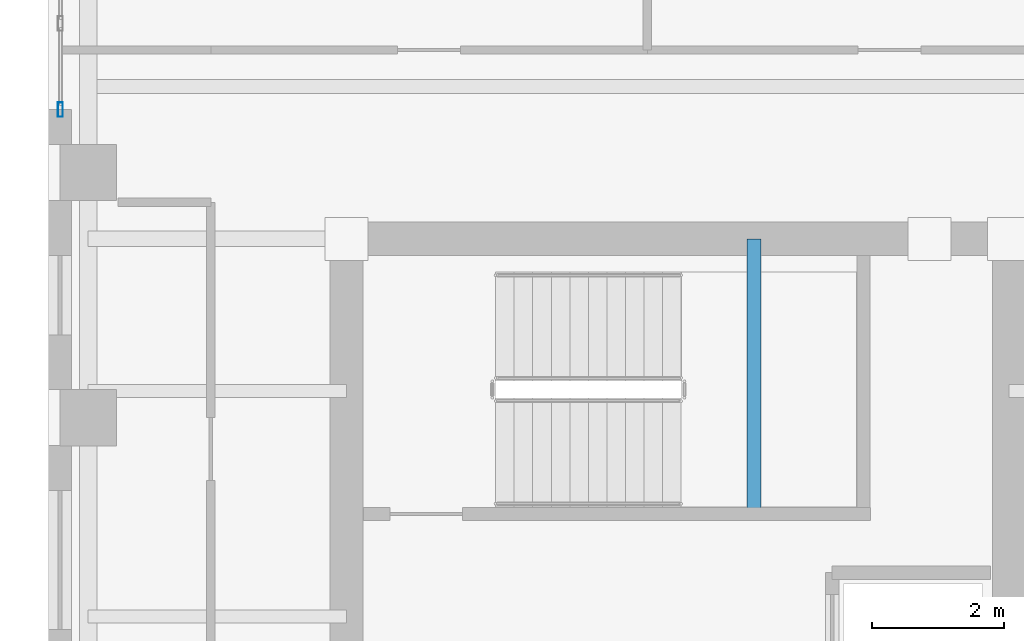
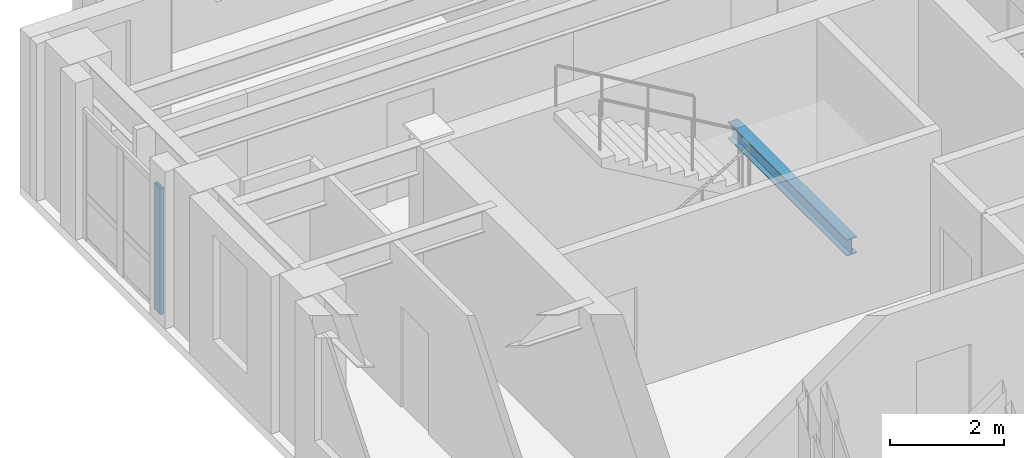
# One storey, part 2 of 10: 1 beam, 1 member, 1 element without a shape of its own.
"""IFC4 building model written with IfcOpenShell, lengths in metres."""

import ifcopenshell
import ifcopenshell.guid

model = None  # the IFC model being written
_history = None  # IfcOwnerHistory: only IFC2X3 demands one
_inside = {}  # id of a spatial element -> (the spatial element, [elements in it])
_under = {}  # id of a project, library or spatial element -> (it, [spatial elements below it])
_declared = {}  # id of a project -> (the project, [libraries it declares])
_typed = {}  # id of a type object -> (the type object, [elements of that type])
_made_of = {}  # id of a material, layer set ... -> (it, [elements and type objects made of it])


def new_model(schema):
    """Start an empty IFC model of exactly this schema.

    Asked for "IFC4X3", IfcOpenShell would pick the latest addendum, in which some entities
    have other attributes; the version numbers below select the first issue.
    IFC2X3 requires an IfcOwnerHistory on every rooted entity: one is made here for all.
    """
    global model, _history
    if schema == "IFC4X3":
        model = ifcopenshell.file(schema_version=(4, 3, 0, 0))
    else:
        model = ifcopenshell.file(schema=schema)
    _inside.clear()
    _under.clear()
    _declared.clear()
    _typed.clear()
    _made_of.clear()
    _history = None
    if model.schema == "IFC2X3":
        org = make("IfcOrganization", Name="unknown")
        user = make(
            "IfcPersonAndOrganization",
            ThePerson=make("IfcPerson", FamilyName="unknown"),
            TheOrganization=org,
        )
        app = make(
            "IfcApplication",
            ApplicationDeveloper=org,
            Version="unknown",
            ApplicationFullName="unknown",
            ApplicationIdentifier="unknown",
        )
        _history = make(
            "IfcOwnerHistory",
            OwningUser=user,
            OwningApplication=app,
            ChangeAction="ADDED",
            CreationDate=0,
        )
    return model


def make(cls, **values):
    """One entity of the class cls with the attributes given. An attribute that is None is left unset."""
    return model.create_entity(
        cls, **{name: value for name, value in values.items() if value is not None}
    )


def rooted(cls, **values):
    """An entity with a GlobalId (a new one), such as an element, a storey or a relation."""
    return make(cls, GlobalId=ifcopenshell.guid.new(), OwnerHistory=_history, **values)


def si_unit(unit_type, name, prefix=None):
    """IfcSIUnit, for example si_unit("LENGTHUNIT", "METRE", prefix="MILLI")."""
    return make("IfcSIUnit", UnitType=unit_type, Prefix=prefix, Name=name)


def assignment(units):
    """IfcUnitAssignment: the units of a project."""
    return None if units is None else make("IfcUnitAssignment", Units=units)


def point(xyz):
    """IfcCartesianPoint."""
    return None if xyz is None else make("IfcCartesianPoint", Coordinates=xyz)


def direction(xyz):
    """IfcDirection."""
    return None if xyz is None else make("IfcDirection", DirectionRatios=xyz)


def frame(location, z_axis=None, x_axis=None):
    """IfcAxis2Placement3D, a coordinate frame: its origin and axes. An axis left out is left unset."""
    return make(
        "IfcAxis2Placement3D",
        Location=point(location),
        Axis=direction(z_axis),
        RefDirection=direction(x_axis),
    )


def frame_2d(location, x_axis=None):
    """IfcAxis2Placement2D, a coordinate frame in the plane: its origin and x axis."""
    return make(
        "IfcAxis2Placement2D", Location=point(location), RefDirection=direction(x_axis)
    )


def origin():
    """The frame at (0, 0, 0) with its axes left unset."""
    return frame((0.0, 0.0, 0.0))


def origin_2d():
    """The frame at (0, 0) in the plane with its x axis left unset."""
    return frame_2d((0.0, 0.0))


def place(relative_to, where):
    """IfcLocalPlacement: puts the frame where relative to a parent placement (None: the world)."""
    return make(
        "IfcLocalPlacement", PlacementRelTo=relative_to, RelativePlacement=where
    )


def context(
    kind, dimensions, precision=None, world=None, true_north=None, identifier=None
):
    """IfcGeometricRepresentationContext, for example the 3D "Model" context."""
    return make(
        "IfcGeometricRepresentationContext",
        ContextIdentifier=identifier,
        ContextType=kind,
        CoordinateSpaceDimension=dimensions,
        Precision=precision,
        WorldCoordinateSystem=world,
        TrueNorth=true_north,
    )


def subcontext(parent, identifier, kind, view, scale=None):
    """IfcGeometricRepresentationSubContext, for example "Body" below "Model"."""
    return make(
        "IfcGeometricRepresentationSubContext",
        ContextIdentifier=identifier,
        ContextType=kind,
        ParentContext=parent,
        TargetScale=scale,
        TargetView=view,
    )


def project(units=None, contexts=None):
    """IfcProject with its units and contexts."""
    return rooted(
        "IfcProject",
        Name="project",
        RepresentationContexts=contexts,
        UnitsInContext=assignment(units),
    )


def spatial(cls, under=None, at=None, **own):
    """A site, building, storey or space (cls), placed at a placement, below another one or the project."""
    s = rooted(cls, ObjectPlacement=at, **own)
    if under is not None:
        _under.setdefault(under.id(), (under, []))[1].append(s)
    return s


def profile(cls, at=None, kind="AREA", **sizes):
    """A parametric profile (cls). Its sizes go by their IFC names, for example OverallWidth=200.0."""
    return make(cls, ProfileType=kind, Position=at, **sizes)


def hollow_rectangle(**sizes):
    """IfcRectangleHollowProfileDef."""
    return profile("IfcRectangleHollowProfileDef", **sizes)


def i_section(**sizes):
    """IfcIShapeProfileDef."""
    return profile("IfcIShapeProfileDef", **sizes)


def extrude(swept, where, along, depth):
    """IfcExtrudedAreaSolid: the profile swept, set in the frame where, extruded along a direction by depth."""
    return make(
        "IfcExtrudedAreaSolid",
        SweptArea=swept,
        Position=where,
        ExtrudedDirection=direction(along),
        Depth=depth,
    )


def shape(context_of_items, identifier, shape_type, items):
    """IfcShapeRepresentation: the items that make up one representation, for example the "Body"."""
    return make(
        "IfcShapeRepresentation",
        ContextOfItems=context_of_items,
        RepresentationIdentifier=identifier,
        RepresentationType=shape_type,
        Items=items,
    )


def source(mapping_origin, context_of_items, identifier, shape_type, items):
    """IfcRepresentationMap: a shape defined once, which mapped items show again and again."""
    return make(
        "IfcRepresentationMap",
        MappingOrigin=mapping_origin,
        MappedRepresentation=shape(context_of_items, identifier, shape_type, items),
    )


def transform(
    local_origin,
    x_axis=None,
    y_axis=None,
    z_axis=None,
    scale=None,
    scale2=None,
    scale3=None,
    uniform=True,
):
    """IfcCartesianTransformationOperator3D, or its non-uniform kind. x_axis, y_axis, z_axis: its Axis1, 2, 3."""
    if uniform:
        return make(
            "IfcCartesianTransformationOperator3D",
            Axis1=direction(x_axis),
            Axis2=direction(y_axis),
            LocalOrigin=point(local_origin),
            Scale=scale,
            Axis3=direction(z_axis),
        )
    return make(
        "IfcCartesianTransformationOperator3DnonUniform",
        Axis1=direction(x_axis),
        Axis2=direction(y_axis),
        LocalOrigin=point(local_origin),
        Scale=scale,
        Axis3=direction(z_axis),
        Scale2=scale2,
        Scale3=scale3,
    )


def mapped(mapping_source, mapping_target):
    """IfcMappedItem: shows the shape of a source again, moved by a transform."""
    return make(
        "IfcMappedItem", MappingSource=mapping_source, MappingTarget=mapping_target
    )


def material(Name=None, Category=None):
    """IfcMaterial."""
    return make("IfcMaterial", Name=Name, Category=Category)


def layer(
    of_material, thickness, ventilated=None, Name=None, Category=None, Priority=None
):
    """IfcMaterialLayer: one layer of a wall or slab, of a material (None: an air gap)."""
    return make(
        "IfcMaterialLayer",
        Material=of_material,
        LayerThickness=thickness,
        IsVentilated=ventilated,
        Name=Name,
        Category=Category,
        Priority=Priority,
    )


def layer_set(layers, Name=None):
    """IfcMaterialLayerSet."""
    return make("IfcMaterialLayerSet", MaterialLayers=layers, LayerSetName=Name)


def material_profile(
    of_material, cross_section, Name=None, Category=None, Priority=None
):
    """IfcMaterialProfile: a cross section and its material."""
    return make(
        "IfcMaterialProfile",
        Name=Name,
        Material=of_material,
        Profile=cross_section,
        Priority=Priority,
        Category=Category,
    )


def profile_set(profiles, Name=None, composite=None):
    """IfcMaterialProfileSet."""
    return make(
        "IfcMaterialProfileSet",
        Name=Name,
        MaterialProfiles=profiles,
        CompositeProfile=composite,
    )


def made_of(thing, what):
    """Note that an element or type object is made of a material, layer set ...; save() writes the relation."""
    if what is not None:
        _made_of.setdefault(what.id(), (what, []))[1].append(thing)
    return thing


def type_object(cls, material=None, **own):
    """A type object (cls), such as IfcWallType, which elements share."""
    return made_of(rooted(cls, **own), material)


def element(
    cls,
    number,
    at=None,
    inside=None,
    cuts=None,
    type_object=None,
    material=None,
    context=None,
    identifier="Body",
    shape_type=None,
    held_by="IfcProductDefinitionShape",
    body=None,
    shapes=None,
    **own,
):
    """One element of the class cls, such as IfcWall. Its Tag is "e" and its number.

    at: its placement. inside: the storey or other place that contains it. cuts: it is an
    opening in that element (IfcRelVoidsElement). A single representation is given by context,
    identifier, shape_type and body (its items); several are given by shapes. held_by: the class
    of the entity that holds the representations. save() writes the other relations.
    """
    e = rooted(cls, Tag="e%d" % number, ObjectPlacement=at, **own)
    if body is not None:
        shapes = [shape(context, identifier, shape_type, body)]
    if shapes is not None:
        e.Representation = make(held_by, Representations=shapes)
    if inside is not None:
        _inside.setdefault(inside.id(), (inside, []))[1].append(e)
    if cuts is not None:
        rooted(
            "IfcRelVoidsElement", RelatingBuildingElement=cuts, RelatedOpeningElement=e
        )
    if type_object is not None:
        _typed.setdefault(type_object.id(), (type_object, []))[1].append(e)
    return made_of(e, material)


def aggregate(whole, parts):
    """IfcRelAggregates: a whole, such as a stair, and the parts it consists of."""
    return rooted("IfcRelAggregates", RelatingObject=whole, RelatedObjects=parts)


def save(model, path):
    """Write the relations noted so far, then the file.

    IfcRelAggregates (storeys below a building ...), IfcRelContainedInSpatialStructure (elements
    in a storey), IfcRelDefinesByType, IfcRelAssociatesMaterial and IfcRelDeclares: one each for
    every whole, place, type object, material and project.
    """
    for whole, parts in _under.values():
        aggregate(whole, parts)
    for where, things in _inside.values():
        rooted(
            "IfcRelContainedInSpatialStructure",
            RelatedElements=things,
            RelatingStructure=where,
        )
    for kind, things in _typed.values():
        rooted("IfcRelDefinesByType", RelatedObjects=things, RelatingType=kind)
    for what, things in _made_of.values():
        rooted("IfcRelAssociatesMaterial", RelatedObjects=things, RelatingMaterial=what)
    for by, libraries in _declared.values():
        rooted("IfcRelDeclares", RelatingContext=by, RelatedDefinitions=libraries)
    model.write(path)


model = new_model("IFC4")

# Units and contexts
model_context = context("Model", 3, precision=1e-05, world=origin(), true_north=direction((0.0, 1.0)))
body_context = subcontext(model_context, "Body", "Model", "MODEL_VIEW")
ifc_project = project(units=[si_unit("LENGTHUNIT", "METRE"), si_unit("AREAUNIT", "SQUARE_METRE"), si_unit("VOLUMEUNIT", "CUBIC_METRE"), si_unit("PLANEANGLEUNIT", "RADIAN"), si_unit("MASSUNIT", "GRAM", prefix="KILO")], contexts=[model_context])

# Site, building, storey
site_placement = place(None, origin())
site = spatial("IfcSite", under=ifc_project, at=site_placement, CompositionType="ELEMENT")
building_placement = place(site_placement, origin())
building = spatial("IfcBuilding", under=site, at=building_placement, Name="Kharzan Plaza Tower", CompositionType="ELEMENT")
storey_placement = place(building_placement, frame((0.0, 0.0, 273.60009765625)))
storey = spatial("IfcBuildingStorey", under=building, at=storey_placement, Name="L74", CompositionType="ELEMENT", Elevation=273.60009765625)

# Beam
ifc_material_1 = material(Name="Steel S355", Category="steel")
ifc_material_profile_1 = material_profile(ifc_material_1, i_section(OverallWidth=0.205078125, OverallDepth=0.35400390625, WebThickness=0.009521484375, FlangeThickness=0.016845703125, at=origin_2d()), Name="W360x79")
ifc_profile_set_1 = profile_set([ifc_material_profile_1], Name="Steel S355")
beam_type = type_object("IfcBeamType", Name="BM-LNT360", PredefinedType="LINTEL", material=ifc_profile_set_1)
shared_shape_1 = source(origin(), body_context, "Body", "SweptSolid", [
    extrude(i_section(OverallWidth=0.205078125, OverallDepth=0.35400390625, WebThickness=0.009521484375, FlangeThickness=0.016845703125, at=origin_2d()), origin(), (0.0, 0.0, 1.0), 4.155029296875),
])
beam_placement = place(storey_placement, frame((10.64990234375, 25.344970703125, 1.4228515625), z_axis=(0.0, 1.0, 0.0), x_axis=(-1.0, 0.0, 0.0)))
element("IfcBeam", 1, at=beam_placement, inside=storey, type_object=beam_type, Name="L74 Stair ST-2 Half-Landing Beam", PredefinedType="LINTEL", context=body_context, shape_type="MappedRepresentation", body=[
    mapped(shared_shape_1, transform((0.0, 0.0, 0.0), x_axis=(1.0, 0.0, 0.0), y_axis=(0.0, 1.0, 0.0), z_axis=(0.0, 0.0, 1.0))),
])

# Curtain wall, member
ifc_material_2 = material(Name="Unitised Bronze-Anodized Aluminium and Low-E Glass", Category="aluminium")
ifc_layer = layer(ifc_material_2, 0.199951171875)
ifc_layer_set = layer_set([ifc_layer], Name="Unitised Bronze-Anodized Aluminium and Low-E Glass")
curtain_wall_type = type_object("IfcCurtainWallType", Name="CW-EXEC-5", PredefinedType="NOTDEFINED", material=ifc_layer_set)
curtain_wall_placement = place(storey_placement, origin())
curtain_wall = element("IfcCurtainWall", 2, at=curtain_wall_placement, inside=storey, type_object=curtain_wall_type, Name="L74 Upper Executive Setback Panoramic Curtain Wall", PredefinedType="NOTDEFINED")
ifc_material_3 = material(Name="Anodized Bronze Aluminium", Category="aluminium")
ifc_material_profile_2 = material_profile(ifc_material_3, hollow_rectangle(XDim=0.074951171875, YDim=0.219970703125, WallThickness=0.00390625, at=origin_2d()), Name="ALU-M220x75x4")
ifc_profile_set_2 = profile_set([ifc_material_profile_2], Name="Anodized Bronze Aluminium")
member_type = type_object("IfcMemberType", Name="MEM-CW-MUL200", PredefinedType="MULLION", material=ifc_profile_set_2)
shared_shape_2 = source(origin(), body_context, "Body", "SweptSolid", [
    extrude(hollow_rectangle(XDim=0.074951171875, YDim=0.219970703125, WallThickness=0.00390625, at=origin_2d()), origin(), (0.0, 0.0, 1.0), 2.699951171875),
])
member_placement = place(storey_placement, frame((0.179931640625, 31.449951171875, 0.0), z_axis=(0.0, 0.0, 1.0), x_axis=(1.0, 0.0, 0.0)))
member = element("IfcMember", 3, at=member_placement, type_object=member_type, Name="L74 Curtain-Wall Mullion 00", PredefinedType="MULLION", context=body_context, shape_type="MappedRepresentation", body=[
    mapped(shared_shape_2, transform((0.0, 0.0, 0.0), x_axis=(1.0, 0.0, 0.0), y_axis=(0.0, 1.0, 0.0), z_axis=(0.0, 0.0, 1.0))),
])
aggregate(curtain_wall, [member])

save(model, "model.ifc")
